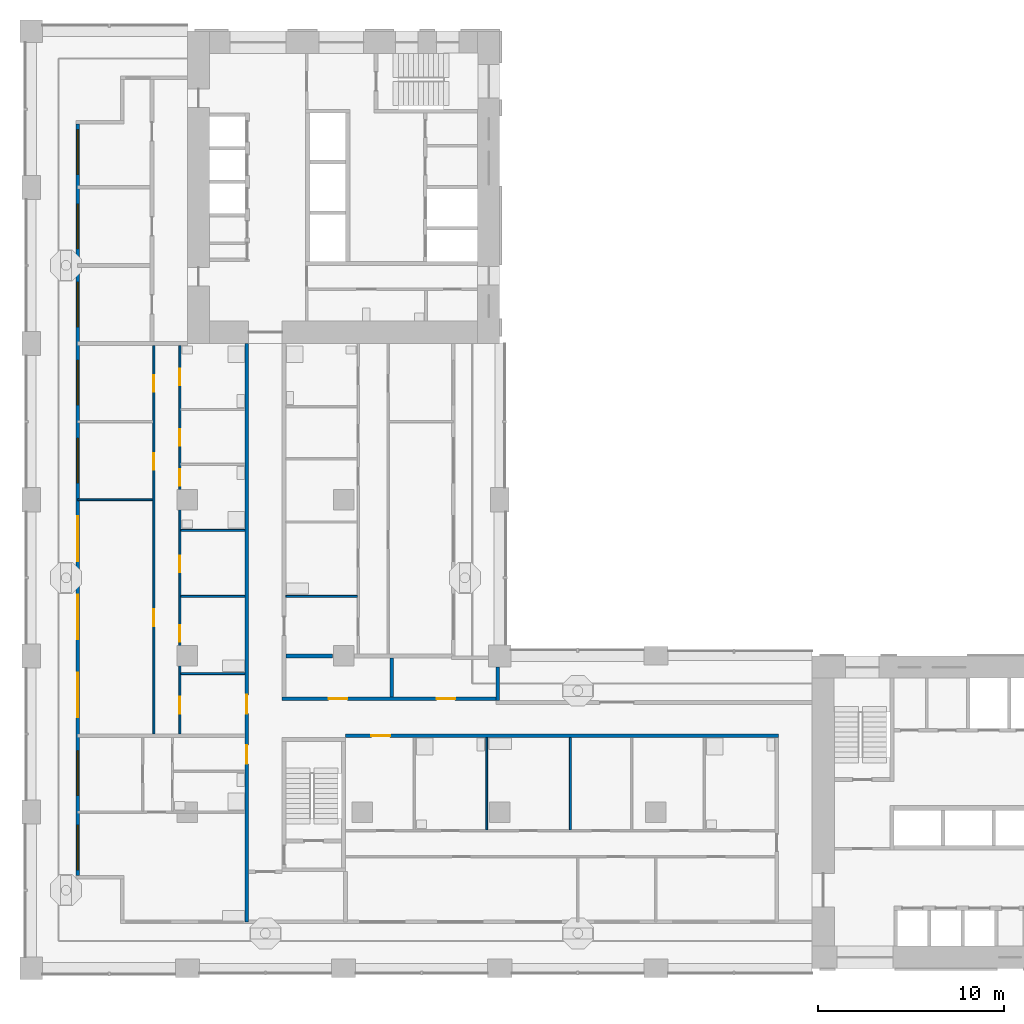
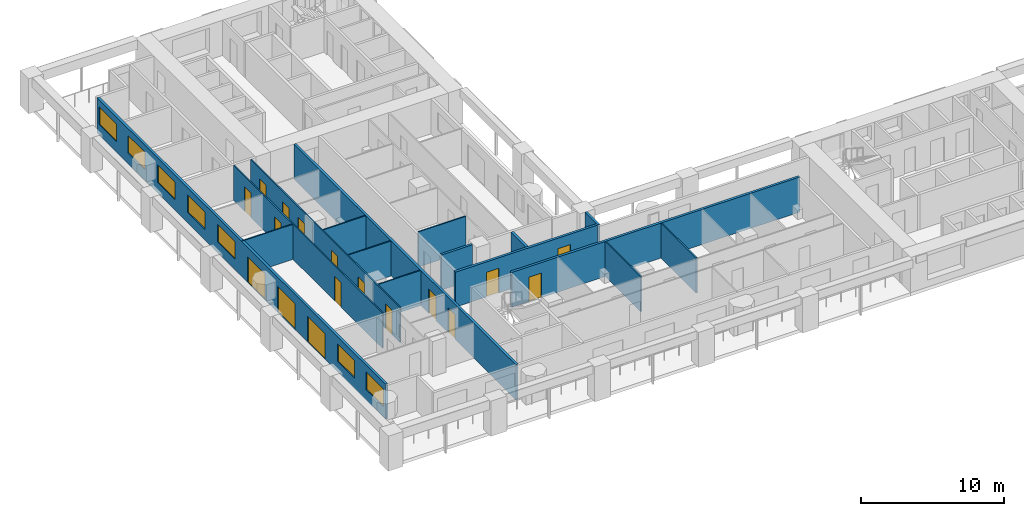
# One storey, part 3 of 18: 17 doors, 16 walls, 7 windows, 24 openings.
"""IFC4 building model written with IfcOpenShell, lengths in metres."""

import ifcopenshell
import ifcopenshell.guid

model = None  # the IFC model being written
_history = None  # IfcOwnerHistory: only IFC2X3 demands one
_inside = {}  # id of a spatial element -> (the spatial element, [elements in it])
_under = {}  # id of a project, library or spatial element -> (it, [spatial elements below it])
_declared = {}  # id of a project -> (the project, [libraries it declares])
_typed = {}  # id of a type object -> (the type object, [elements of that type])
_made_of = {}  # id of a material, layer set ... -> (it, [elements and type objects made of it])


def new_model(schema):
    """Start an empty IFC model of exactly this schema.

    Asked for "IFC4X3", IfcOpenShell would pick the latest addendum, in which some entities
    have other attributes; the version numbers below select the first issue.
    IFC2X3 requires an IfcOwnerHistory on every rooted entity: one is made here for all.
    """
    global model, _history
    if schema == "IFC4X3":
        model = ifcopenshell.file(schema_version=(4, 3, 0, 0))
    else:
        model = ifcopenshell.file(schema=schema)
    _inside.clear()
    _under.clear()
    _declared.clear()
    _typed.clear()
    _made_of.clear()
    _history = None
    if model.schema == "IFC2X3":
        org = make("IfcOrganization", Name="unknown")
        user = make(
            "IfcPersonAndOrganization",
            ThePerson=make("IfcPerson", FamilyName="unknown"),
            TheOrganization=org,
        )
        app = make(
            "IfcApplication",
            ApplicationDeveloper=org,
            Version="unknown",
            ApplicationFullName="unknown",
            ApplicationIdentifier="unknown",
        )
        _history = make(
            "IfcOwnerHistory",
            OwningUser=user,
            OwningApplication=app,
            ChangeAction="ADDED",
            CreationDate=0,
        )
    return model


def make(cls, **values):
    """One entity of the class cls with the attributes given. An attribute that is None is left unset."""
    return model.create_entity(
        cls, **{name: value for name, value in values.items() if value is not None}
    )


def rooted(cls, **values):
    """An entity with a GlobalId (a new one), such as an element, a storey or a relation."""
    return make(cls, GlobalId=ifcopenshell.guid.new(), OwnerHistory=_history, **values)


def si_unit(unit_type, name, prefix=None):
    """IfcSIUnit, for example si_unit("LENGTHUNIT", "METRE", prefix="MILLI")."""
    return make("IfcSIUnit", UnitType=unit_type, Prefix=prefix, Name=name)


def assignment(units):
    """IfcUnitAssignment: the units of a project."""
    return None if units is None else make("IfcUnitAssignment", Units=units)


def point(xyz):
    """IfcCartesianPoint."""
    return None if xyz is None else make("IfcCartesianPoint", Coordinates=xyz)


def direction(xyz):
    """IfcDirection."""
    return None if xyz is None else make("IfcDirection", DirectionRatios=xyz)


def frame(location, z_axis=None, x_axis=None):
    """IfcAxis2Placement3D, a coordinate frame: its origin and axes. An axis left out is left unset."""
    return make(
        "IfcAxis2Placement3D",
        Location=point(location),
        Axis=direction(z_axis),
        RefDirection=direction(x_axis),
    )


def frame_2d(location, x_axis=None):
    """IfcAxis2Placement2D, a coordinate frame in the plane: its origin and x axis."""
    return make(
        "IfcAxis2Placement2D", Location=point(location), RefDirection=direction(x_axis)
    )


def origin():
    """The frame at (0, 0, 0) with its axes left unset."""
    return frame((0.0, 0.0, 0.0))


def place(relative_to, where):
    """IfcLocalPlacement: puts the frame where relative to a parent placement (None: the world)."""
    return make(
        "IfcLocalPlacement", PlacementRelTo=relative_to, RelativePlacement=where
    )


def context(
    kind, dimensions, precision=None, world=None, true_north=None, identifier=None
):
    """IfcGeometricRepresentationContext, for example the 3D "Model" context."""
    return make(
        "IfcGeometricRepresentationContext",
        ContextIdentifier=identifier,
        ContextType=kind,
        CoordinateSpaceDimension=dimensions,
        Precision=precision,
        WorldCoordinateSystem=world,
        TrueNorth=true_north,
    )


def subcontext(parent, identifier, kind, view, scale=None):
    """IfcGeometricRepresentationSubContext, for example "Body" below "Model"."""
    return make(
        "IfcGeometricRepresentationSubContext",
        ContextIdentifier=identifier,
        ContextType=kind,
        ParentContext=parent,
        TargetScale=scale,
        TargetView=view,
    )


def project(units=None, contexts=None):
    """IfcProject with its units and contexts."""
    return rooted(
        "IfcProject",
        Name="project",
        RepresentationContexts=contexts,
        UnitsInContext=assignment(units),
    )


def spatial(cls, under=None, at=None, **own):
    """A site, building, storey or space (cls), placed at a placement, below another one or the project."""
    s = rooted(cls, ObjectPlacement=at, **own)
    if under is not None:
        _under.setdefault(under.id(), (under, []))[1].append(s)
    return s


def profile(cls, at=None, kind="AREA", **sizes):
    """A parametric profile (cls). Its sizes go by their IFC names, for example OverallWidth=200.0."""
    return make(cls, ProfileType=kind, Position=at, **sizes)


def rectangle(**sizes):
    """IfcRectangleProfileDef."""
    return profile("IfcRectangleProfileDef", **sizes)


def extrude(swept, where, along, depth):
    """IfcExtrudedAreaSolid: the profile swept, set in the frame where, extruded along a direction by depth."""
    return make(
        "IfcExtrudedAreaSolid",
        SweptArea=swept,
        Position=where,
        ExtrudedDirection=direction(along),
        Depth=depth,
    )


def shape(context_of_items, identifier, shape_type, items):
    """IfcShapeRepresentation: the items that make up one representation, for example the "Body"."""
    return make(
        "IfcShapeRepresentation",
        ContextOfItems=context_of_items,
        RepresentationIdentifier=identifier,
        RepresentationType=shape_type,
        Items=items,
    )


def material(Name=None, Category=None):
    """IfcMaterial."""
    return make("IfcMaterial", Name=Name, Category=Category)


def layer(
    of_material, thickness, ventilated=None, Name=None, Category=None, Priority=None
):
    """IfcMaterialLayer: one layer of a wall or slab, of a material (None: an air gap)."""
    return make(
        "IfcMaterialLayer",
        Material=of_material,
        LayerThickness=thickness,
        IsVentilated=ventilated,
        Name=Name,
        Category=Category,
        Priority=Priority,
    )


def layer_set(layers, Name=None):
    """IfcMaterialLayerSet."""
    return make("IfcMaterialLayerSet", MaterialLayers=layers, LayerSetName=Name)


def made_of(thing, what):
    """Note that an element or type object is made of a material, layer set ...; save() writes the relation."""
    if what is not None:
        _made_of.setdefault(what.id(), (what, []))[1].append(thing)
    return thing


def type_object(cls, material=None, **own):
    """A type object (cls), such as IfcWallType, which elements share."""
    return made_of(rooted(cls, **own), material)


def element(
    cls,
    number,
    at=None,
    inside=None,
    cuts=None,
    type_object=None,
    material=None,
    context=None,
    identifier="Body",
    shape_type=None,
    held_by="IfcProductDefinitionShape",
    body=None,
    shapes=None,
    **own,
):
    """One element of the class cls, such as IfcWall. Its Tag is "e" and its number.

    at: its placement. inside: the storey or other place that contains it. cuts: it is an
    opening in that element (IfcRelVoidsElement). A single representation is given by context,
    identifier, shape_type and body (its items); several are given by shapes. held_by: the class
    of the entity that holds the representations. save() writes the other relations.
    """
    e = rooted(cls, Tag="e%d" % number, ObjectPlacement=at, **own)
    if body is not None:
        shapes = [shape(context, identifier, shape_type, body)]
    if shapes is not None:
        e.Representation = make(held_by, Representations=shapes)
    if inside is not None:
        _inside.setdefault(inside.id(), (inside, []))[1].append(e)
    if cuts is not None:
        rooted(
            "IfcRelVoidsElement", RelatingBuildingElement=cuts, RelatedOpeningElement=e
        )
    if type_object is not None:
        _typed.setdefault(type_object.id(), (type_object, []))[1].append(e)
    return made_of(e, material)


def fill(opening, filler):
    """IfcRelFillsElement: the door or window that sits in an opening."""
    return rooted(
        "IfcRelFillsElement",
        RelatingOpeningElement=opening,
        RelatedBuildingElement=filler,
    )


def aggregate(whole, parts):
    """IfcRelAggregates: a whole, such as a stair, and the parts it consists of."""
    return rooted("IfcRelAggregates", RelatingObject=whole, RelatedObjects=parts)


def save(model, path):
    """Write the relations noted so far, then the file.

    IfcRelAggregates (storeys below a building ...), IfcRelContainedInSpatialStructure (elements
    in a storey), IfcRelDefinesByType, IfcRelAssociatesMaterial and IfcRelDeclares: one each for
    every whole, place, type object, material and project.
    """
    for whole, parts in _under.values():
        aggregate(whole, parts)
    for where, things in _inside.values():
        rooted(
            "IfcRelContainedInSpatialStructure",
            RelatedElements=things,
            RelatingStructure=where,
        )
    for kind, things in _typed.values():
        rooted("IfcRelDefinesByType", RelatedObjects=things, RelatingType=kind)
    for what, things in _made_of.values():
        rooted("IfcRelAssociatesMaterial", RelatedObjects=things, RelatingMaterial=what)
    for by, libraries in _declared.values():
        rooted("IfcRelDeclares", RelatingContext=by, RelatedDefinitions=libraries)
    model.write(path)


model = new_model("IFC4")

# Units and contexts
model_context = context("Model", 3, precision=1e-05, world=origin(), true_north=direction((0.0, 1.0)))
body_context = subcontext(model_context, "Body", "Model", "MODEL_VIEW")
ifc_project = project(units=[si_unit("LENGTHUNIT", "METRE"), si_unit("AREAUNIT", "SQUARE_METRE"), si_unit("VOLUMEUNIT", "CUBIC_METRE"), si_unit("PLANEANGLEUNIT", "RADIAN"), si_unit("MASSUNIT", "GRAM", prefix="KILO")], contexts=[model_context])

# Site, building, storey
site_placement = place(None, origin())
site = spatial("IfcSite", under=ifc_project, at=site_placement, CompositionType="ELEMENT")
building_placement = place(site_placement, origin())
building = spatial("IfcBuilding", under=site, at=building_placement, Name="Vermilion Gate Residences", CompositionType="ELEMENT")
storey_placement = place(building_placement, frame((0.0, 0.0, 137.199951171875)))
storey = spatial("IfcBuildingStorey", under=building, at=storey_placement, Name="L35", CompositionType="ELEMENT", Elevation=137.199951171875)

# Wall, openings, doors, windows
ifc_material_1 = material(Name="Insulated steel stud wall with terracotta rainscreen", Category="masonry")
ifc_layer_1 = layer(ifc_material_1, 0.199951171875)
ifc_layer_set_1 = layer_set([ifc_layer_1], Name="EXTERNAL WALL 200 TERRACOTTA RAINSCREEN")
wall_type_1 = type_object("IfcWallType", Name="EXTERNAL WALL 200 TERRACOTTA RAINSCREEN", PredefinedType="SOLIDWALL", material=ifc_layer_set_1)
wall_1_placement = place(storey_placement, frame((2.5, 53.800048828125, 0.0), z_axis=(0.0, 0.0, 1.0), x_axis=(0.0, -1.0, 0.0)))
wall_1 = element("IfcWall", 1, at=wall_1_placement, inside=storey, type_object=wall_type_1, Name="External wall", PredefinedType="SOLIDWALL", context=body_context, shape_type="SweptSolid", body=[
    extrude(rectangle(XDim=40.400146484375, YDim=0.199951171875, at=frame_2d((20.2001953125, 0.0))), origin(), (0.0, 0.0, 1.0), 3.0),
])
opening_1_placement = place(wall_1_placement, frame((37.699951171875, 0.0, 0.89990234375)))
opening_1 = element("IfcOpeningElement", 2, at=opening_1_placement, cuts=wall_1, Name="Opening WE35002", PredefinedType="OPENING", context=body_context, shape_type="SweptSolid", body=[
    extrude(rectangle(XDim=2.39990234375, YDim=1.5, at=frame_2d((1.199951171875, 0.75))), frame((0.0, 0.10986328125, 0.0), z_axis=(0.0, -1.0, 0.0), x_axis=(1.0, 0.0, 0.0)), (0.0, 0.0, 1.0), 0.219970703125),
])
opening_2_placement = place(wall_1_placement, frame((33.699951171875, 0.0, 0.89990234375)))
opening_2 = element("IfcOpeningElement", 3, at=opening_2_placement, cuts=wall_1, Name="Opening WE35003", PredefinedType="OPENING", context=body_context, shape_type="SweptSolid", body=[
    extrude(rectangle(XDim=2.39990234375, YDim=1.5, at=frame_2d((1.199951171875, 0.75))), frame((0.0, 0.10986328125, 0.0), z_axis=(0.0, -1.0, 0.0), x_axis=(1.0, 0.0, 0.0)), (0.0, 0.0, 1.0), 0.219970703125),
])
opening_3_placement = place(wall_1_placement, frame((29.5, 0.0, 0.0)))
opening_3 = element("IfcOpeningElement", 4, at=opening_3_placement, cuts=wall_1, Name="Opening DE35004", PredefinedType="OPENING", context=body_context, shape_type="SweptSolid", body=[
    extrude(rectangle(XDim=2.39990234375, YDim=2.199951171875, at=frame_2d((1.199951171875, 1.10009765625))), frame((0.0, 0.10986328125, 0.0), z_axis=(0.0, -1.0, 0.0), x_axis=(1.0, 0.0, 0.0)), (0.0, 0.0, 1.0), 0.219970703125),
])
opening_4_placement = place(wall_1_placement, frame((25.300048828125, 0.0, 0.0)))
opening_4 = element("IfcOpeningElement", 5, at=opening_4_placement, cuts=wall_1, Name="Opening DE35005", PredefinedType="OPENING", context=body_context, shape_type="SweptSolid", body=[
    extrude(rectangle(XDim=2.39990234375, YDim=2.199951171875, at=frame_2d((1.199951171875, 1.10009765625))), frame((0.0, 0.10986328125, 0.0), z_axis=(0.0, -1.0, 0.0), x_axis=(1.0, 0.0, 0.0)), (0.0, 0.0, 1.0), 0.219970703125),
])
opening_5_placement = place(wall_1_placement, frame((21.10009765625, 0.0, 0.0)))
opening_5 = element("IfcOpeningElement", 6, at=opening_5_placement, cuts=wall_1, Name="Opening DE35006", PredefinedType="OPENING", context=body_context, shape_type="SweptSolid", body=[
    extrude(rectangle(XDim=2.39990234375, YDim=2.199951171875, at=frame_2d((1.199951171875, 1.10009765625))), frame((0.0, 0.10986328125, 0.0), z_axis=(0.0, -1.0, 0.0), x_axis=(1.0, 0.0, 0.0)), (0.0, 0.0, 1.0), 0.219970703125),
])
opening_6_placement = place(wall_1_placement, frame((16.89990234375, 0.0, 0.89990234375)))
opening_6 = element("IfcOpeningElement", 7, at=opening_6_placement, cuts=wall_1, Name="Opening WE35007", PredefinedType="OPENING", context=body_context, shape_type="SweptSolid", body=[
    extrude(rectangle(XDim=2.39990234375, YDim=1.5, at=frame_2d((1.199951171875, 0.75))), frame((0.0, 0.10986328125, 0.0), z_axis=(0.0, -1.0, 0.0), x_axis=(1.0, 0.0, 0.0)), (0.0, 0.0, 1.0), 0.219970703125),
])
opening_7_placement = place(wall_1_placement, frame((12.699951171875, 0.0, 0.89990234375)))
opening_7 = element("IfcOpeningElement", 8, at=opening_7_placement, cuts=wall_1, Name="Opening WE35008", PredefinedType="OPENING", context=body_context, shape_type="SweptSolid", body=[
    extrude(rectangle(XDim=2.39990234375, YDim=1.5, at=frame_2d((1.199951171875, 0.75))), frame((0.0, 0.10986328125, 0.0), z_axis=(0.0, -1.0, 0.0), x_axis=(1.0, 0.0, 0.0)), (0.0, 0.0, 1.0), 0.219970703125),
])
opening_8_placement = place(wall_1_placement, frame((8.5, 0.0, 0.89990234375)))
opening_8 = element("IfcOpeningElement", 9, at=opening_8_placement, cuts=wall_1, Name="Opening WE35009", PredefinedType="OPENING", context=body_context, shape_type="SweptSolid", body=[
    extrude(rectangle(XDim=2.39990234375, YDim=1.5, at=frame_2d((1.199951171875, 0.75))), frame((0.0, 0.10986328125, 0.0), z_axis=(0.0, -1.0, 0.0), x_axis=(1.0, 0.0, 0.0)), (0.0, 0.0, 1.0), 0.219970703125),
])
opening_9_placement = place(wall_1_placement, frame((4.300048828125, 0.0, 0.89990234375)))
opening_9 = element("IfcOpeningElement", 10, at=opening_9_placement, cuts=wall_1, Name="Opening WE35010", PredefinedType="OPENING", context=body_context, shape_type="SweptSolid", body=[
    extrude(rectangle(XDim=2.39990234375, YDim=1.5, at=frame_2d((1.199951171875, 0.75))), frame((0.0, 0.10986328125, 0.0), z_axis=(0.0, -1.0, 0.0), x_axis=(1.0, 0.0, 0.0)), (0.0, 0.0, 1.0), 0.219970703125),
])
opening_10_placement = place(wall_1_placement, frame((0.300048828125, 0.0, 0.89990234375)))
opening_10 = element("IfcOpeningElement", 11, at=opening_10_placement, cuts=wall_1, Name="Opening WE35011", PredefinedType="OPENING", context=body_context, shape_type="SweptSolid", body=[
    extrude(rectangle(XDim=2.39990234375, YDim=1.5, at=frame_2d((1.199951171875, 0.75))), frame((0.0, 0.10986328125, 0.0), z_axis=(0.0, -1.0, 0.0), x_axis=(1.0, 0.0, 0.0)), (0.0, 0.0, 1.0), 0.219970703125),
])
ifc_material_2 = material(Name="Aluminium and clear glass", Category="aluminium")
door_type_1 = type_object("IfcDoorType", Name="SLIDING GLAZED DOOR 2400 X 2200", OperationType="DOUBLE_DOOR_SLIDING", PredefinedType="DOOR", material=ifc_material_2)
door_1_placement = place(opening_3_placement, origin())
door_1 = element("IfcDoor", 12, at=door_1_placement, inside=storey, type_object=door_type_1, Name="Loggia sliding door", OperationType="DOUBLE_DOOR_SLIDING", OverallHeight=2.199951171875, OverallWidth=2.39990234375, PredefinedType="DOOR", context=body_context, shape_type="SweptSolid", body=[
    extrude(rectangle(XDim=2.39990234375, YDim=2.199951171875, at=frame_2d((1.199951171875, 1.10009765625))), frame((0.0, 0.02490234375, 0.0), z_axis=(0.0, -1.0, 0.0), x_axis=(1.0, 0.0, 0.0)), (0.0, 0.0, 1.0), 0.050048828125),
])
fill(opening_3, door_1)
door_2_placement = place(opening_4_placement, origin())
door_2 = element("IfcDoor", 13, at=door_2_placement, inside=storey, type_object=door_type_1, Name="Loggia sliding door", OperationType="DOUBLE_DOOR_SLIDING", OverallHeight=2.199951171875, OverallWidth=2.39990234375, PredefinedType="DOOR", context=body_context, shape_type="SweptSolid", body=[
    extrude(rectangle(XDim=2.39990234375, YDim=2.199951171875, at=frame_2d((1.199951171875, 1.10009765625))), frame((0.0, 0.02490234375, 0.0), z_axis=(0.0, -1.0, 0.0), x_axis=(1.0, 0.0, 0.0)), (0.0, 0.0, 1.0), 0.050048828125),
])
fill(opening_4, door_2)
door_3_placement = place(opening_5_placement, origin())
door_3 = element("IfcDoor", 14, at=door_3_placement, inside=storey, type_object=door_type_1, Name="Loggia sliding door", OperationType="DOUBLE_DOOR_SLIDING", OverallHeight=2.199951171875, OverallWidth=2.39990234375, PredefinedType="DOOR", context=body_context, shape_type="SweptSolid", body=[
    extrude(rectangle(XDim=2.39990234375, YDim=2.199951171875, at=frame_2d((1.199951171875, 1.10009765625))), frame((0.0, 0.02490234375, 0.0), z_axis=(0.0, -1.0, 0.0), x_axis=(1.0, 0.0, 0.0)), (0.0, 0.0, 1.0), 0.050048828125),
])
fill(opening_5, door_3)
ifc_material_3 = material(Name="Aluminium and clear glass", Category="aluminium")
window_type = type_object("IfcWindowType", Name="WINDOW 2400 X 1500", PartitioningType="SINGLE_PANEL", PredefinedType="WINDOW", material=ifc_material_3)
window_1_placement = place(opening_1_placement, origin())
window_1 = element("IfcWindow", 15, at=window_1_placement, inside=storey, type_object=window_type, Name="Window", OverallHeight=1.5, OverallWidth=2.39990234375, PartitioningType="SINGLE_PANEL", PredefinedType="WINDOW", context=body_context, shape_type="SweptSolid", body=[
    extrude(rectangle(XDim=2.39990234375, YDim=1.5, at=frame_2d((1.199951171875, 0.75))), frame((0.0, 0.030029296875, 0.0), z_axis=(0.0, -1.0, 0.0), x_axis=(1.0, 0.0, 0.0)), (0.0, 0.0, 1.0), 0.06005859375),
])
fill(opening_1, window_1)
window_2_placement = place(opening_2_placement, origin())
window_2 = element("IfcWindow", 16, at=window_2_placement, inside=storey, type_object=window_type, Name="Window", OverallHeight=1.5, OverallWidth=2.39990234375, PartitioningType="SINGLE_PANEL", PredefinedType="WINDOW", context=body_context, shape_type="SweptSolid", body=[
    extrude(rectangle(XDim=2.39990234375, YDim=1.5, at=frame_2d((1.199951171875, 0.75))), frame((0.0, 0.030029296875, 0.0), z_axis=(0.0, -1.0, 0.0), x_axis=(1.0, 0.0, 0.0)), (0.0, 0.0, 1.0), 0.06005859375),
])
fill(opening_2, window_2)
window_3_placement = place(opening_6_placement, origin())
window_3 = element("IfcWindow", 17, at=window_3_placement, inside=storey, type_object=window_type, Name="Window", OverallHeight=1.5, OverallWidth=2.39990234375, PartitioningType="SINGLE_PANEL", PredefinedType="WINDOW", context=body_context, shape_type="SweptSolid", body=[
    extrude(rectangle(XDim=2.39990234375, YDim=1.5, at=frame_2d((1.199951171875, 0.75))), frame((0.0, 0.030029296875, 0.0), z_axis=(0.0, -1.0, 0.0), x_axis=(1.0, 0.0, 0.0)), (0.0, 0.0, 1.0), 0.06005859375),
])
fill(opening_6, window_3)
window_4_placement = place(opening_7_placement, origin())
window_4 = element("IfcWindow", 18, at=window_4_placement, inside=storey, type_object=window_type, Name="Window", OverallHeight=1.5, OverallWidth=2.39990234375, PartitioningType="SINGLE_PANEL", PredefinedType="WINDOW", context=body_context, shape_type="SweptSolid", body=[
    extrude(rectangle(XDim=2.39990234375, YDim=1.5, at=frame_2d((1.199951171875, 0.75))), frame((0.0, 0.030029296875, 0.0), z_axis=(0.0, -1.0, 0.0), x_axis=(1.0, 0.0, 0.0)), (0.0, 0.0, 1.0), 0.06005859375),
])
fill(opening_7, window_4)
window_5_placement = place(opening_8_placement, origin())
window_5 = element("IfcWindow", 19, at=window_5_placement, inside=storey, type_object=window_type, Name="Window", OverallHeight=1.5, OverallWidth=2.39990234375, PartitioningType="SINGLE_PANEL", PredefinedType="WINDOW", context=body_context, shape_type="SweptSolid", body=[
    extrude(rectangle(XDim=2.39990234375, YDim=1.5, at=frame_2d((1.199951171875, 0.75))), frame((0.0, 0.030029296875, 0.0), z_axis=(0.0, -1.0, 0.0), x_axis=(1.0, 0.0, 0.0)), (0.0, 0.0, 1.0), 0.06005859375),
])
fill(opening_8, window_5)
window_6_placement = place(opening_9_placement, origin())
window_6 = element("IfcWindow", 20, at=window_6_placement, inside=storey, type_object=window_type, Name="Window", OverallHeight=1.5, OverallWidth=2.39990234375, PartitioningType="SINGLE_PANEL", PredefinedType="WINDOW", context=body_context, shape_type="SweptSolid", body=[
    extrude(rectangle(XDim=2.39990234375, YDim=1.5, at=frame_2d((1.199951171875, 0.75))), frame((0.0, 0.030029296875, 0.0), z_axis=(0.0, -1.0, 0.0), x_axis=(1.0, 0.0, 0.0)), (0.0, 0.0, 1.0), 0.06005859375),
])
fill(opening_9, window_6)
window_7_placement = place(opening_10_placement, origin())
window_7 = element("IfcWindow", 21, at=window_7_placement, inside=storey, type_object=window_type, Name="Window", OverallHeight=1.5, OverallWidth=2.39990234375, PartitioningType="SINGLE_PANEL", PredefinedType="WINDOW", context=body_context, shape_type="SweptSolid", body=[
    extrude(rectangle(XDim=2.39990234375, YDim=1.5, at=frame_2d((1.199951171875, 0.75))), frame((0.0, 0.030029296875, 0.0), z_axis=(0.0, -1.0, 0.0), x_axis=(1.0, 0.0, 0.0)), (0.0, 0.0, 1.0), 0.06005859375),
])
fill(opening_10, window_7)

# Walls
wall_2_placement = place(storey_placement, frame((25.10009765625, 22.800048828125, 0.0), z_axis=(0.0, 0.0, 1.0), x_axis=(0.0, 1.0, 0.0)))
element("IfcWall", 22, at=wall_2_placement, inside=storey, type_object=wall_type_1, Name="External wall", PredefinedType="SOLIDWALL", context=body_context, shape_type="SweptSolid", body=[
    extrude(rectangle(XDim=1.800048828125, YDim=0.199951171875, at=frame_2d((0.89990234375, 0.0))), origin(), (0.0, 0.0, 1.0), 3.0),
])
ifc_material_4 = material(Name="Plasterboard on steel studs", Category="steel")
ifc_layer_2 = layer(ifc_material_4, 0.10009765625)
ifc_layer_set_2 = layer_set([ifc_layer_2], Name="PARTITION 100")
wall_type_2 = type_object("IfcWallType", Name="PARTITION 100", PredefinedType="PARTITIONING", material=ifc_layer_set_2)
for number, where, z_axis, x_axis, name in (
    (23, (8.050048828125, 24.25, 0.0), (0.0, 0.0, 1.0), (1.0, 0.0, 0.0), "Partition"),
    (24, (8.050048828125, 28.39990234375, 0.0), (0.0, 0.0, 1.0), (1.0, 0.0, 0.0), "Partition"),
):
    element("IfcWall", number, at=place(storey_placement, frame(where, z_axis=z_axis, x_axis=x_axis)), inside=storey, type_object=wall_type_2, Name=name, PredefinedType="PARTITIONING", context=body_context, shape_type="SweptSolid", body=[
        extrude(rectangle(XDim=3.449951171875, YDim=0.10009765625, at=frame_2d((1.72509765625, 0.0))), origin(), (0.0, 0.0, 1.0), 3.0),
    ])
wall_3_placement = place(storey_placement, frame((13.699951171875, 28.39990234375, 0.0), z_axis=(0.0, 0.0, 1.0), x_axis=(1.0, 0.0, 0.0)))
element("IfcWall", 25, at=wall_3_placement, inside=storey, type_object=wall_type_2, Name="Partition", PredefinedType="PARTITIONING", context=body_context, shape_type="SweptSolid", body=[
    extrude(rectangle(XDim=3.85009765625, YDim=0.10009765625, at=frame_2d((1.925048828125, 0.0))), origin(), (0.0, 0.0, 1.0), 3.0),
])
wall_4_placement = place(storey_placement, frame((8.050048828125, 31.949951171875, 0.0), z_axis=(0.0, 0.0, 1.0), x_axis=(1.0, 0.0, 0.0)))
element("IfcWall", 26, at=wall_4_placement, inside=storey, type_object=wall_type_2, Name="Partition", PredefinedType="PARTITIONING", context=body_context, shape_type="SweptSolid", body=[
    extrude(rectangle(XDim=3.449951171875, YDim=0.10009765625, at=frame_2d((1.72509765625, 0.0))), origin(), (0.0, 0.0, 1.0), 3.0),
])
wall_5_placement = place(storey_placement, frame((2.5, 33.60009765625, 0.0), z_axis=(0.0, 0.0, 1.0), x_axis=(1.0, 0.0, 0.0)))
element("IfcWall", 27, at=wall_5_placement, inside=storey, type_object=wall_type_2, Name="Partition", PredefinedType="PARTITIONING", context=body_context, shape_type="SweptSolid", body=[
    extrude(rectangle(XDim=4.050048828125, YDim=0.10009765625, at=frame_2d((2.02490234375, 0.0))), origin(), (0.0, 0.0, 1.0), 3.0),
])

# Wall, openings, doors
wall_6_placement = place(storey_placement, frame((6.60009765625, 21.0, 0.0), z_axis=(0.0, 0.0, 1.0), x_axis=(0.0, 1.0, 0.0)))
wall_6 = element("IfcWall", 28, at=wall_6_placement, inside=storey, type_object=wall_type_2, Name="Partition", PredefinedType="PARTITIONING", context=body_context, shape_type="SweptSolid", body=[
    extrude(rectangle(XDim=20.89990234375, YDim=0.10009765625, at=frame_2d((10.449951171875, 0.0))), origin(), (0.0, 0.0, 1.0), 3.0),
])
opening_11_placement = place(wall_6_placement, frame((5.800048828125, 0.0, 0.0)))
opening_11 = element("IfcOpeningElement", 29, at=opening_11_placement, cuts=wall_6, Name="Opening DA34019", PredefinedType="OPENING", context=body_context, shape_type="SweptSolid", body=[
    extrude(rectangle(XDim=0.89990234375, YDim=2.10009765625, at=frame_2d((0.449951171875, 1.050048828125))), frame((0.0, 0.06005859375, 0.0), z_axis=(0.0, -1.0, 0.0), x_axis=(1.0, 0.0, 0.0)), (0.0, 0.0, 1.0), 0.1201171875),
])
opening_12_placement = place(wall_6_placement, frame((14.199951171875, 0.0, 0.0)))
opening_12 = element("IfcOpeningElement", 30, at=opening_12_placement, cuts=wall_6, Name="Opening DA34020", PredefinedType="OPENING", context=body_context, shape_type="SweptSolid", body=[
    extrude(rectangle(XDim=0.89990234375, YDim=2.10009765625, at=frame_2d((0.449951171875, 1.050048828125))), frame((0.0, 0.06005859375, 0.0), z_axis=(0.0, -1.0, 0.0), x_axis=(1.0, 0.0, 0.0)), (0.0, 0.0, 1.0), 0.1201171875),
])
opening_13_placement = place(wall_6_placement, frame((18.39990234375, 0.0, 0.0)))
opening_13 = element("IfcOpeningElement", 31, at=opening_13_placement, cuts=wall_6, Name="Opening DA34021", PredefinedType="OPENING", context=body_context, shape_type="SweptSolid", body=[
    extrude(rectangle(XDim=0.89990234375, YDim=2.10009765625, at=frame_2d((0.449951171875, 1.050048828125))), frame((0.0, 0.06005859375, 0.0), z_axis=(0.0, -1.0, 0.0), x_axis=(1.0, 0.0, 0.0)), (0.0, 0.0, 1.0), 0.1201171875),
])
ifc_material_5 = material(Name="Timber", Category="wood")
door_type_2 = type_object("IfcDoorType", Name="INTERIOR DOOR 900 X 2100", OperationType="SINGLE_SWING_LEFT", PredefinedType="DOOR", material=ifc_material_5)
door_4_placement = place(opening_11_placement, origin())
door_4 = element("IfcDoor", 32, at=door_4_placement, inside=storey, type_object=door_type_2, Name="Interior door", OperationType="SINGLE_SWING_LEFT", OverallHeight=2.10009765625, OverallWidth=0.89990234375, PredefinedType="DOOR", context=body_context, shape_type="SweptSolid", body=[
    extrude(rectangle(XDim=0.89990234375, YDim=2.10009765625, at=frame_2d((0.449951171875, 1.050048828125))), frame((0.0, 0.02490234375, 0.0), z_axis=(0.0, -1.0, 0.0), x_axis=(1.0, 0.0, 0.0)), (0.0, 0.0, 1.0), 0.050048828125),
])
fill(opening_11, door_4)
door_5_placement = place(opening_12_placement, origin())
door_5 = element("IfcDoor", 33, at=door_5_placement, inside=storey, type_object=door_type_2, Name="Interior door", OperationType="SINGLE_SWING_LEFT", OverallHeight=2.10009765625, OverallWidth=0.89990234375, PredefinedType="DOOR", context=body_context, shape_type="SweptSolid", body=[
    extrude(rectangle(XDim=0.89990234375, YDim=2.10009765625, at=frame_2d((0.449951171875, 1.050048828125))), frame((0.0, 0.02490234375, 0.0), z_axis=(0.0, -1.0, 0.0), x_axis=(1.0, 0.0, 0.0)), (0.0, 0.0, 1.0), 0.050048828125),
])
fill(opening_12, door_5)
door_6_placement = place(opening_13_placement, origin())
door_6 = element("IfcDoor", 34, at=door_6_placement, inside=storey, type_object=door_type_2, Name="Interior door", OperationType="SINGLE_SWING_LEFT", OverallHeight=2.10009765625, OverallWidth=0.89990234375, PredefinedType="DOOR", context=body_context, shape_type="SweptSolid", body=[
    extrude(rectangle(XDim=0.89990234375, YDim=2.10009765625, at=frame_2d((0.449951171875, 1.050048828125))), frame((0.0, 0.02490234375, 0.0), z_axis=(0.0, -1.0, 0.0), x_axis=(1.0, 0.0, 0.0)), (0.0, 0.0, 1.0), 0.050048828125),
])
fill(opening_13, door_6)

wall_7_placement = place(storey_placement, frame((8.0, 21.0, 0.0), z_axis=(0.0, 0.0, 1.0), x_axis=(0.0, 1.0, 0.0)))
wall_7 = element("IfcWall", 35, at=wall_7_placement, inside=storey, type_object=wall_type_2, Name="Partition", PredefinedType="PARTITIONING", context=body_context, shape_type="SweptSolid", body=[
    extrude(rectangle(XDim=20.89990234375, YDim=0.10009765625, at=frame_2d((10.449951171875, 0.0))), origin(), (0.0, 0.0, 1.0), 3.0),
])
opening_14_placement = place(wall_7_placement, frame((1.10009765625, 0.0, 0.0)))
opening_14 = element("IfcOpeningElement", 36, at=opening_14_placement, cuts=wall_7, Name="Opening DA34024", PredefinedType="OPENING", context=body_context, shape_type="SweptSolid", body=[
    extrude(rectangle(XDim=0.89990234375, YDim=2.10009765625, at=frame_2d((0.449951171875, 1.050048828125))), frame((0.0, 0.06005859375, 0.0), z_axis=(0.0, -1.0, 0.0), x_axis=(1.0, 0.0, 0.0)), (0.0, 0.0, 1.0), 0.1201171875),
])
opening_15_placement = place(wall_7_placement, frame((4.949951171875, 0.0, 0.0)))
opening_15 = element("IfcOpeningElement", 37, at=opening_15_placement, cuts=wall_7, Name="Opening DA34025", PredefinedType="OPENING", context=body_context, shape_type="SweptSolid", body=[
    extrude(rectangle(XDim=0.89990234375, YDim=2.10009765625, at=frame_2d((0.449951171875, 1.050048828125))), frame((0.0, 0.06005859375, 0.0), z_axis=(0.0, -1.0, 0.0), x_axis=(1.0, 0.0, 0.0)), (0.0, 0.0, 1.0), 0.1201171875),
])
opening_16_placement = place(wall_7_placement, frame((8.699951171875, 0.0, 0.0)))
opening_16 = element("IfcOpeningElement", 38, at=opening_16_placement, cuts=wall_7, Name="Opening DA34026", PredefinedType="OPENING", context=body_context, shape_type="SweptSolid", body=[
    extrude(rectangle(XDim=0.89990234375, YDim=2.10009765625, at=frame_2d((0.449951171875, 1.050048828125))), frame((0.0, 0.06005859375, 0.0), z_axis=(0.0, -1.0, 0.0), x_axis=(1.0, 0.0, 0.0)), (0.0, 0.0, 1.0), 0.1201171875),
])
opening_17_placement = place(wall_7_placement, frame((13.35009765625, 0.0, 0.0)))
opening_17 = element("IfcOpeningElement", 39, at=opening_17_placement, cuts=wall_7, Name="Opening DA34027", PredefinedType="OPENING", context=body_context, shape_type="SweptSolid", body=[
    extrude(rectangle(XDim=0.89990234375, YDim=2.10009765625, at=frame_2d((0.449951171875, 1.050048828125))), frame((0.0, 0.06005859375, 0.0), z_axis=(0.0, -1.0, 0.0), x_axis=(1.0, 0.0, 0.0)), (0.0, 0.0, 1.0), 0.1201171875),
])
opening_18_placement = place(wall_7_placement, frame((15.5, 0.0, 0.0)))
opening_18 = element("IfcOpeningElement", 40, at=opening_18_placement, cuts=wall_7, Name="Opening DA34028", PredefinedType="OPENING", context=body_context, shape_type="SweptSolid", body=[
    extrude(rectangle(XDim=0.89990234375, YDim=2.10009765625, at=frame_2d((0.449951171875, 1.050048828125))), frame((0.0, 0.06005859375, 0.0), z_axis=(0.0, -1.0, 0.0), x_axis=(1.0, 0.0, 0.0)), (0.0, 0.0, 1.0), 0.1201171875),
])
opening_19_placement = place(wall_7_placement, frame((18.75, 0.0, 0.0)))
opening_19 = element("IfcOpeningElement", 41, at=opening_19_placement, cuts=wall_7, Name="Opening DA34029", PredefinedType="OPENING", context=body_context, shape_type="SweptSolid", body=[
    extrude(rectangle(XDim=0.89990234375, YDim=2.10009765625, at=frame_2d((0.449951171875, 1.050048828125))), frame((0.0, 0.06005859375, 0.0), z_axis=(0.0, -1.0, 0.0), x_axis=(1.0, 0.0, 0.0)), (0.0, 0.0, 1.0), 0.1201171875),
])
door_7_placement = place(opening_14_placement, frame((0.89990234375, 0.0, 0.0), z_axis=(0.0, 0.0, 1.0), x_axis=(-1.0, 0.0, 0.0)))
door_7 = element("IfcDoor", 42, at=door_7_placement, inside=storey, type_object=door_type_2, Name="Interior door", OperationType="SINGLE_SWING_RIGHT", OverallHeight=2.10009765625, OverallWidth=0.89990234375, PredefinedType="DOOR", context=body_context, shape_type="SweptSolid", body=[
    extrude(rectangle(XDim=0.89990234375, YDim=2.10009765625, at=frame_2d((0.449951171875, 1.050048828125))), frame((0.0, 0.02490234375, 0.0), z_axis=(0.0, -1.0, 0.0), x_axis=(1.0, 0.0, 0.0)), (0.0, 0.0, 1.0), 0.050048828125),
])
fill(opening_14, door_7)
door_8_placement = place(opening_15_placement, frame((0.89990234375, 0.0, 0.0), z_axis=(0.0, 0.0, 1.0), x_axis=(-1.0, 0.0, 0.0)))
door_8 = element("IfcDoor", 43, at=door_8_placement, inside=storey, type_object=door_type_2, Name="Interior door", OperationType="SINGLE_SWING_RIGHT", OverallHeight=2.10009765625, OverallWidth=0.89990234375, PredefinedType="DOOR", context=body_context, shape_type="SweptSolid", body=[
    extrude(rectangle(XDim=0.89990234375, YDim=2.10009765625, at=frame_2d((0.449951171875, 1.050048828125))), frame((0.0, 0.02490234375, 0.0), z_axis=(0.0, -1.0, 0.0), x_axis=(1.0, 0.0, 0.0)), (0.0, 0.0, 1.0), 0.050048828125),
])
fill(opening_15, door_8)
door_9_placement = place(opening_16_placement, frame((0.89990234375, 0.0, 0.0), z_axis=(0.0, 0.0, 1.0), x_axis=(-1.0, 0.0, 0.0)))
door_9 = element("IfcDoor", 44, at=door_9_placement, inside=storey, type_object=door_type_2, Name="Interior door", OperationType="SINGLE_SWING_RIGHT", OverallHeight=2.10009765625, OverallWidth=0.89990234375, PredefinedType="DOOR", context=body_context, shape_type="SweptSolid", body=[
    extrude(rectangle(XDim=0.89990234375, YDim=2.10009765625, at=frame_2d((0.449951171875, 1.050048828125))), frame((0.0, 0.02490234375, 0.0), z_axis=(0.0, -1.0, 0.0), x_axis=(1.0, 0.0, 0.0)), (0.0, 0.0, 1.0), 0.050048828125),
])
fill(opening_16, door_9)
door_10_placement = place(opening_17_placement, frame((0.89990234375, 0.0, 0.0), z_axis=(0.0, 0.0, 1.0), x_axis=(-1.0, 0.0, 0.0)))
door_10 = element("IfcDoor", 45, at=door_10_placement, inside=storey, type_object=door_type_2, Name="Interior door", OperationType="SINGLE_SWING_RIGHT", OverallHeight=2.10009765625, OverallWidth=0.89990234375, PredefinedType="DOOR", context=body_context, shape_type="SweptSolid", body=[
    extrude(rectangle(XDim=0.89990234375, YDim=2.10009765625, at=frame_2d((0.449951171875, 1.050048828125))), frame((0.0, 0.02490234375, 0.0), z_axis=(0.0, -1.0, 0.0), x_axis=(1.0, 0.0, 0.0)), (0.0, 0.0, 1.0), 0.050048828125),
])
fill(opening_17, door_10)
door_11_placement = place(opening_18_placement, frame((0.89990234375, 0.0, 0.0), z_axis=(0.0, 0.0, 1.0), x_axis=(-1.0, 0.0, 0.0)))
door_11 = element("IfcDoor", 46, at=door_11_placement, inside=storey, type_object=door_type_2, Name="Interior door", OperationType="SINGLE_SWING_RIGHT", OverallHeight=2.10009765625, OverallWidth=0.89990234375, PredefinedType="DOOR", context=body_context, shape_type="SweptSolid", body=[
    extrude(rectangle(XDim=0.89990234375, YDim=2.10009765625, at=frame_2d((0.449951171875, 1.050048828125))), frame((0.0, 0.02490234375, 0.0), z_axis=(0.0, -1.0, 0.0), x_axis=(1.0, 0.0, 0.0)), (0.0, 0.0, 1.0), 0.050048828125),
])
fill(opening_18, door_11)
door_12_placement = place(opening_19_placement, frame((0.89990234375, 0.0, 0.0), z_axis=(0.0, 0.0, 1.0), x_axis=(-1.0, 0.0, 0.0)))
door_12 = element("IfcDoor", 47, at=door_12_placement, inside=storey, type_object=door_type_2, Name="Interior door", OperationType="SINGLE_SWING_LEFT", OverallHeight=2.10009765625, OverallWidth=0.89990234375, PredefinedType="DOOR", context=body_context, shape_type="SweptSolid", body=[
    extrude(rectangle(XDim=0.89990234375, YDim=2.10009765625, at=frame_2d((0.449951171875, 1.050048828125))), frame((0.0, 0.02490234375, 0.0), z_axis=(0.0, -1.0, 0.0), x_axis=(1.0, 0.0, 0.0)), (0.0, 0.0, 1.0), 0.050048828125),
])
fill(opening_19, door_12)

# Walls
for number, where, z_axis, x_axis, name in (
    (48, (24.5, 15.85009765625, 0.0), (0.0, 0.0, 1.0), (0.0, 1.0, 0.0), "Partition"),
    (49, (29.0, 15.85009765625, 0.0), (0.0, 0.0, 1.0), (0.0, 1.0, 0.0), "Partition"),
):
    element("IfcWall", number, at=place(storey_placement, frame(where, z_axis=z_axis, x_axis=x_axis)), inside=storey, type_object=wall_type_2, Name=name, PredefinedType="PARTITIONING", context=body_context, shape_type="SweptSolid", body=[
        extrude(rectangle(XDim=4.949951171875, YDim=0.10009765625, at=frame_2d((2.47509765625, 0.0))), origin(), (0.0, 0.0, 1.0), 3.0),
    ])

# Wall, opening, door
ifc_material_6 = material(Name="Fire-rated plasterboard on steel studs", Category="steel")
ifc_layer_3 = layer(ifc_material_6, 0.199951171875)
ifc_layer_set_3 = layer_set([ifc_layer_3], Name="PARTY WALL 200 EI 120")
wall_type_3 = type_object("IfcWallType", Name="PARTY WALL 200 EI 120", PredefinedType="PARTITIONING", material=ifc_layer_set_3)
wall_8_placement = place(storey_placement, frame((16.89990234375, 20.89990234375, 0.0), z_axis=(0.0, 0.0, 1.0), x_axis=(1.0, 0.0, 0.0)))
wall_8 = element("IfcWall", 50, at=wall_8_placement, inside=storey, type_object=wall_type_3, Name="Party and corridor wall", PredefinedType="PARTITIONING", context=body_context, shape_type="SweptSolid", body=[
    extrude(rectangle(XDim=23.300048828125, YDim=0.199951171875, at=frame_2d((11.64990234375, 0.0))), origin(), (0.0, 0.0, 1.0), 3.0),
])
opening_20_placement = place(wall_8_placement, frame((1.39990234375, 0.0, 0.0)))
opening_20 = element("IfcOpeningElement", 51, at=opening_20_placement, cuts=wall_8, Name="Opening DA34012", PredefinedType="OPENING", context=body_context, shape_type="SweptSolid", body=[
    extrude(rectangle(XDim=1.0, YDim=2.10009765625, at=frame_2d((0.5, 1.050048828125))), frame((0.0, 0.10986328125, 0.0), z_axis=(0.0, -1.0, 0.0), x_axis=(1.0, 0.0, 0.0)), (0.0, 0.0, 1.0), 0.219970703125),
])
ifc_material_7 = material(Name="Steel", Category="steel")
door_type_3 = type_object("IfcDoorType", Name="ENTRANCE DOOR 1000 X 2100 FD30", OperationType="SINGLE_SWING_LEFT", PredefinedType="DOOR", material=ifc_material_7)
door_13_placement = place(opening_20_placement, frame((1.0, 0.0, 0.0), z_axis=(0.0, 0.0, 1.0), x_axis=(-1.0, 0.0, 0.0)))
door_13 = element("IfcDoor", 52, at=door_13_placement, inside=storey, type_object=door_type_3, Name="Entrance door", OperationType="SINGLE_SWING_LEFT", OverallHeight=2.10009765625, OverallWidth=1.0, PredefinedType="DOOR", context=body_context, shape_type="SweptSolid", body=[
    extrude(rectangle(XDim=1.0, YDim=2.10009765625, at=frame_2d((0.5, 1.050048828125))), frame((0.0, 0.02490234375, 0.0), z_axis=(0.0, -1.0, 0.0), x_axis=(1.0, 0.0, 0.0)), (0.0, 0.0, 1.0), 0.050048828125),
])
fill(opening_20, door_13)

# Wall, openings, doors
wall_9_placement = place(storey_placement, frame((13.5, 22.89990234375, 0.0), z_axis=(0.0, 0.0, 1.0), x_axis=(1.0, 0.0, 0.0)))
wall_9 = element("IfcWall", 53, at=wall_9_placement, inside=storey, type_object=wall_type_3, Name="Party and corridor wall", PredefinedType="PARTITIONING", context=body_context, shape_type="SweptSolid", body=[
    extrude(rectangle(XDim=11.60009765625, YDim=0.199951171875, at=frame_2d((5.800048828125, 0.0))), origin(), (0.0, 0.0, 1.0), 3.0),
])
opening_21_placement = place(wall_9_placement, frame((2.5, 0.0, 0.0)))
opening_21 = element("IfcOpeningElement", 54, at=opening_21_placement, cuts=wall_9, Name="Opening DA34013", PredefinedType="OPENING", context=body_context, shape_type="SweptSolid", body=[
    extrude(rectangle(XDim=1.0, YDim=2.10009765625, at=frame_2d((0.5, 1.050048828125))), frame((0.0, 0.10986328125, 0.0), z_axis=(0.0, -1.0, 0.0), x_axis=(1.0, 0.0, 0.0)), (0.0, 0.0, 1.0), 0.219970703125),
])
opening_22_placement = place(wall_9_placement, frame((8.300048828125, 0.0, 0.0)))
opening_22 = element("IfcOpeningElement", 55, at=opening_22_placement, cuts=wall_9, Name="Opening DA34014", PredefinedType="OPENING", context=body_context, shape_type="SweptSolid", body=[
    extrude(rectangle(XDim=1.0, YDim=2.10009765625, at=frame_2d((0.5, 1.050048828125))), frame((0.0, 0.10986328125, 0.0), z_axis=(0.0, -1.0, 0.0), x_axis=(1.0, 0.0, 0.0)), (0.0, 0.0, 1.0), 0.219970703125),
])
door_14_placement = place(opening_21_placement, origin())
door_14 = element("IfcDoor", 56, at=door_14_placement, inside=storey, type_object=door_type_3, Name="Entrance door", OperationType="SINGLE_SWING_RIGHT", OverallHeight=2.10009765625, OverallWidth=1.0, PredefinedType="DOOR", context=body_context, shape_type="SweptSolid", body=[
    extrude(rectangle(XDim=1.0, YDim=2.10009765625, at=frame_2d((0.5, 1.050048828125))), frame((0.0, 0.02490234375, 0.0), z_axis=(0.0, -1.0, 0.0), x_axis=(1.0, 0.0, 0.0)), (0.0, 0.0, 1.0), 0.050048828125),
])
fill(opening_21, door_14)
door_15_placement = place(opening_22_placement, origin())
door_15 = element("IfcDoor", 57, at=door_15_placement, inside=storey, type_object=door_type_3, Name="Entrance door", OperationType="SINGLE_SWING_RIGHT", OverallHeight=2.10009765625, OverallWidth=1.0, PredefinedType="DOOR", context=body_context, shape_type="SweptSolid", body=[
    extrude(rectangle(XDim=1.0, YDim=2.10009765625, at=frame_2d((0.5, 1.050048828125))), frame((0.0, 0.02490234375, 0.0), z_axis=(0.0, -1.0, 0.0), x_axis=(1.0, 0.0, 0.0)), (0.0, 0.0, 1.0), 0.050048828125),
])
fill(opening_22, door_15)

# Wall
wall_10_placement = place(storey_placement, frame((13.699951171875, 25.199951171875, 0.0), z_axis=(0.0, 0.0, 1.0), x_axis=(1.0, 0.0, 0.0)))
element("IfcWall", 58, at=wall_10_placement, inside=storey, type_object=wall_type_3, Name="Party and corridor wall", PredefinedType="PARTITIONING", context=body_context, shape_type="SweptSolid", body=[
    extrude(rectangle(XDim=2.5, YDim=0.199951171875, at=frame_2d((1.25, 0.0))), origin(), (0.0, 0.0, 1.0), 3.0),
])

# Wall, openings, doors
wall_11_placement = place(storey_placement, frame((11.60009765625, 10.89990234375, 0.0), z_axis=(0.0, 0.0, 1.0), x_axis=(0.0, 1.0, 0.0)))
wall_11 = element("IfcWall", 59, at=wall_11_placement, inside=storey, type_object=wall_type_3, Name="Party and corridor wall", PredefinedType="PARTITIONING", context=body_context, shape_type="SweptSolid", body=[
    extrude(rectangle(XDim=31.10009765625, YDim=0.199951171875, at=frame_2d((15.550048828125, 0.0))), origin(), (0.0, 0.0, 1.0), 3.0),
])
opening_23_placement = place(wall_11_placement, frame((8.5, 0.0, 0.0)))
opening_23 = element("IfcOpeningElement", 60, at=opening_23_placement, cuts=wall_11, Name="Opening DA34030", PredefinedType="OPENING", context=body_context, shape_type="SweptSolid", body=[
    extrude(rectangle(XDim=1.0, YDim=2.10009765625, at=frame_2d((0.5, 1.050048828125))), frame((0.0, 0.10986328125, 0.0), z_axis=(0.0, -1.0, 0.0), x_axis=(1.0, 0.0, 0.0)), (0.0, 0.0, 1.0), 0.219970703125),
])
opening_24_placement = place(wall_11_placement, frame((11.199951171875, 0.0, 0.0)))
opening_24 = element("IfcOpeningElement", 61, at=opening_24_placement, cuts=wall_11, Name="Opening DA34031", PredefinedType="OPENING", context=body_context, shape_type="SweptSolid", body=[
    extrude(rectangle(XDim=1.0, YDim=2.10009765625, at=frame_2d((0.5, 1.050048828125))), frame((0.0, 0.10986328125, 0.0), z_axis=(0.0, -1.0, 0.0), x_axis=(1.0, 0.0, 0.0)), (0.0, 0.0, 1.0), 0.219970703125),
])
door_16_placement = place(opening_23_placement, origin())
door_16 = element("IfcDoor", 62, at=door_16_placement, inside=storey, type_object=door_type_3, Name="Entrance door", OperationType="SINGLE_SWING_LEFT", OverallHeight=2.10009765625, OverallWidth=1.0, PredefinedType="DOOR", context=body_context, shape_type="SweptSolid", body=[
    extrude(rectangle(XDim=1.0, YDim=2.10009765625, at=frame_2d((0.5, 1.050048828125))), frame((0.0, 0.02490234375, 0.0), z_axis=(0.0, -1.0, 0.0), x_axis=(1.0, 0.0, 0.0)), (0.0, 0.0, 1.0), 0.050048828125),
])
fill(opening_23, door_16)
door_17_placement = place(opening_24_placement, origin())
door_17 = element("IfcDoor", 63, at=door_17_placement, inside=storey, type_object=door_type_3, Name="Entrance door", OperationType="SINGLE_SWING_RIGHT", OverallHeight=2.10009765625, OverallWidth=1.0, PredefinedType="DOOR", context=body_context, shape_type="SweptSolid", body=[
    extrude(rectangle(XDim=1.0, YDim=2.10009765625, at=frame_2d((0.5, 1.050048828125))), frame((0.0, 0.02490234375, 0.0), z_axis=(0.0, -1.0, 0.0), x_axis=(1.0, 0.0, 0.0)), (0.0, 0.0, 1.0), 0.050048828125),
])
fill(opening_24, door_17)

# Wall
wall_12_placement = place(storey_placement, frame((19.39990234375, 23.0, 0.0), z_axis=(0.0, 0.0, 1.0), x_axis=(0.0, 1.0, 0.0)))
element("IfcWall", 64, at=wall_12_placement, inside=storey, type_object=wall_type_3, Name="Party and corridor wall", PredefinedType="PARTITIONING", context=body_context, shape_type="SweptSolid", body=[
    extrude(rectangle(XDim=2.10009765625, YDim=0.199951171875, at=frame_2d((1.050048828125, 0.0))), origin(), (0.0, 0.0, 1.0), 3.0),
])

save(model, "model.ifc")
